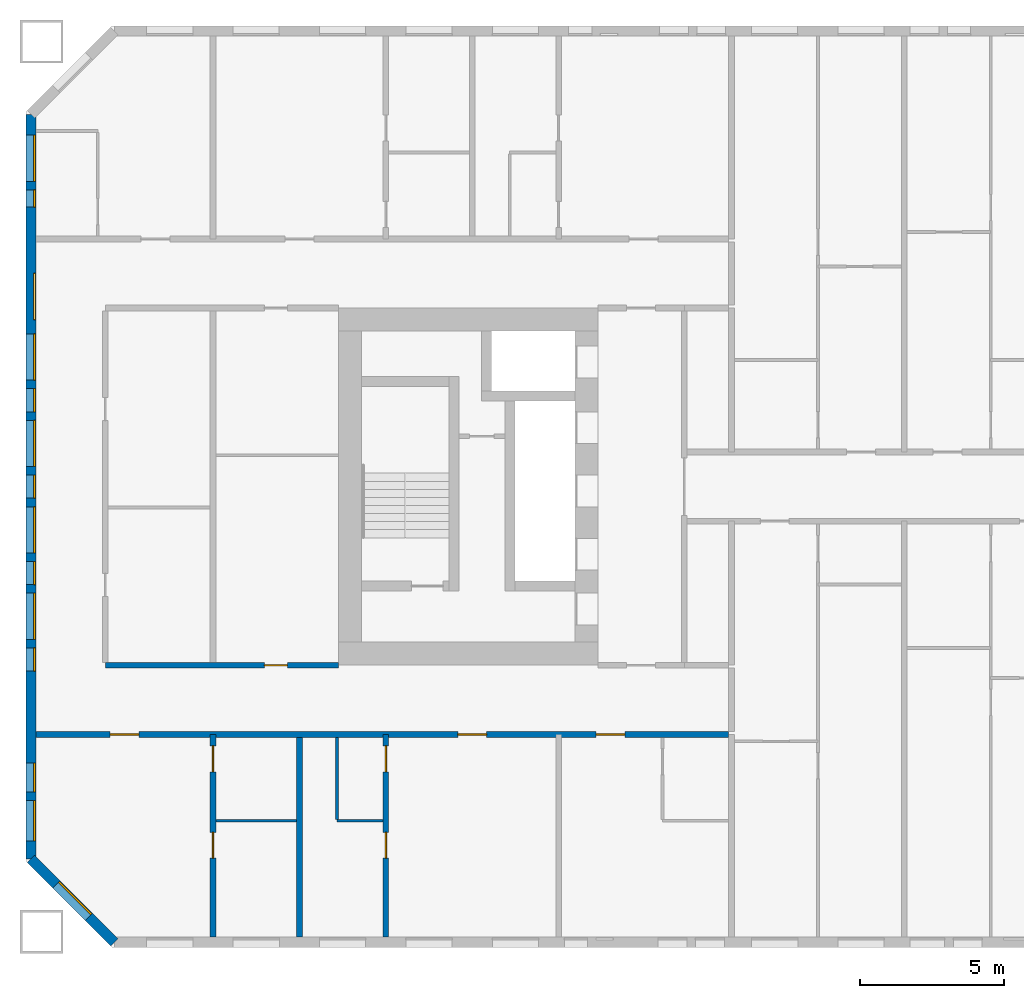
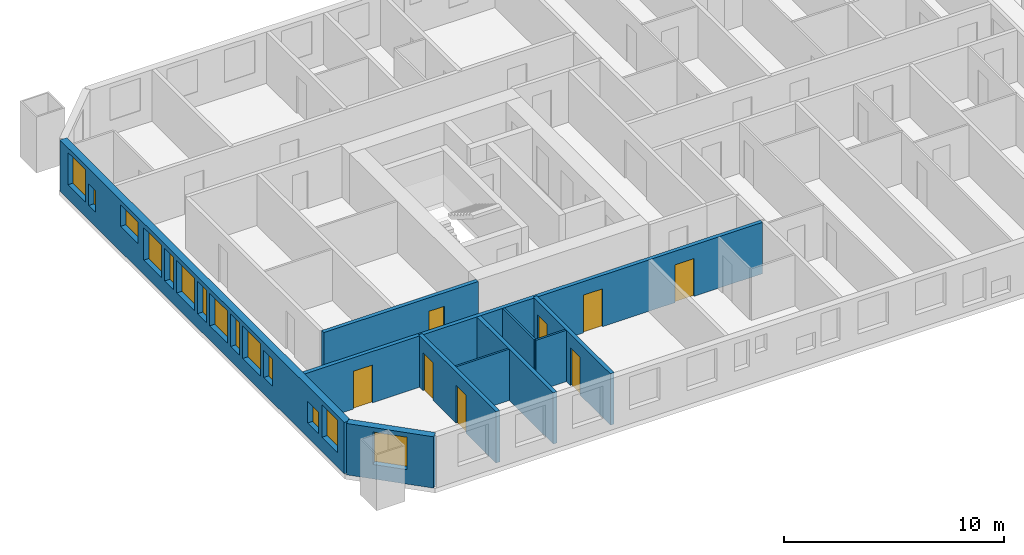
# One storey, part 2 of 19: 14 windows, 10 walls, 8 doors, 22 openings.
"""IFC4 building model written with IfcOpenShell, lengths in metres."""

from ifc_helpers import new_model, si_unit, direction, frame, frame_2d, origin, place, context, subcontext, project, spatial, rectangle, extrude, material, layer, layer_set, type_object, element, fill, save


model = new_model("IFC4")

# Units and contexts
model_context = context("Model", 3, precision=1e-05, world=origin(), true_north=direction((0.0, 1.0)))
body_context = subcontext(model_context, "Body", "Model", "MODEL_VIEW")
ifc_project = project(units=[si_unit("LENGTHUNIT", "METRE"), si_unit("AREAUNIT", "SQUARE_METRE"), si_unit("VOLUMEUNIT", "CUBIC_METRE"), si_unit("PLANEANGLEUNIT", "RADIAN"), si_unit("MASSUNIT", "GRAM", prefix="KILO")], contexts=[model_context])

# Site, building, storey
site_placement = place(None, origin())
site = spatial("IfcSite", under=ifc_project, at=site_placement, CompositionType="ELEMENT")
building_placement = place(site_placement, origin())
building = spatial("IfcBuilding", under=site, at=building_placement, Name="Tuart Gate Housing", CompositionType="ELEMENT")
storey_placement = place(building_placement, frame((0.0, 0.0, 56.699951171875)))
storey = spatial("IfcBuildingStorey", under=building, at=storey_placement, Name="L15", CompositionType="ELEMENT", Elevation=56.699951171875)

# Wall, opening, window
ifc_material_1 = material(Name="Brick", Category="masonry")
ifc_layer_1 = layer(ifc_material_1, 0.360107421875)
ifc_layer_set_1 = layer_set([ifc_layer_1], Name="Brick pier and spandrel wall 360")
wall_type_1 = type_object("IfcWallType", Name="Brick pier and spandrel wall 360", PredefinedType="STANDARD", material=ifc_layer_set_1)
wall_1_placement = place(storey_placement, frame((21.679931640625, 57.07470703125, 0.0), z_axis=(0.0, 0.0, 1.0), x_axis=(0.707106781187, -0.707106781187, 0.0)))
wall_1 = element("IfcWall", 1, at=wall_1_placement, inside=storey, type_object=wall_type_1, Name="External wall A-SW L15", PredefinedType="STANDARD", context=body_context, shape_type="SweptSolid", body=[
    extrude(rectangle(XDim=4.09375, YDim=0.360107421875, at=frame_2d((2.046875, 0.0))), origin(), (0.0, 0.0, 1.0), 2.85009765625),
])
opening_1_placement = place(wall_1_placement, frame((1.2470703125, 0.0, 0.800048828125)))
opening_1 = element("IfcOpeningElement", 2, at=opening_1_placement, cuts=wall_1, Name="Opening W1", PredefinedType="OPENING", context=body_context, shape_type="SweptSolid", body=[
    extrude(rectangle(XDim=1.60009765625, YDim=1.800048828125, at=frame_2d((0.800048828125, 0.89990234375))), frame((0.0, 0.18994140625, 0.0), z_axis=(0.0, -1.0, 0.0), x_axis=(1.0, 0.0, 0.0)), (0.0, 0.0, 1.0), 0.380126953125),
])
ifc_material_2 = material(Name="Aluminium frame with clear glass", Category="aluminium")
window_type_1 = type_object("IfcWindowType", Name="Punched window 1600 x 1800", PartitioningType="SINGLE_PANEL", PredefinedType="WINDOW", material=ifc_material_2)
window_1_placement = place(opening_1_placement, origin())
window_1 = element("IfcWindow", 3, at=window_1_placement, inside=storey, type_object=window_type_1, Name="Window W1", OverallHeight=1.800048828125, OverallWidth=1.60009765625, PartitioningType="SINGLE_PANEL", PredefinedType="WINDOW", context=body_context, shape_type="SweptSolid", body=[
    extrude(rectangle(XDim=1.60009765625, YDim=1.800048828125, at=frame_2d((0.800048828125, 0.89990234375))), frame((0.0, 0.150146484375, 0.0), z_axis=(0.0, -1.0, 0.0), x_axis=(1.0, 0.0, 0.0)), (0.0, 0.0, 1.0), 0.06005859375),
])
fill(opening_1, window_1)

# Wall, openings, windows
wall_2_placement = place(storey_placement, frame((21.679931640625, 82.92529296875, 0.0), z_axis=(0.0, 0.0, 1.0), x_axis=(0.0, -1.0, 0.0)))
wall_2 = element("IfcWall", 4, at=wall_2_placement, inside=storey, type_object=wall_type_1, Name="External wall A-W L15", PredefinedType="STANDARD", context=body_context, shape_type="SweptSolid", body=[
    extrude(rectangle(XDim=25.850830078125, YDim=0.360107421875, at=frame_2d((12.92529296875, 0.0))), origin(), (0.0, 0.0, 1.0), 2.85009765625),
])
opening_2_placement = place(wall_2_placement, frame((0.725341796875, 0.0, 0.800048828125)))
opening_2 = element("IfcOpeningElement", 5, at=opening_2_placement, cuts=wall_2, Name="Opening W1", PredefinedType="OPENING", context=body_context, shape_type="SweptSolid", body=[
    extrude(rectangle(XDim=1.60009765625, YDim=1.800048828125, at=frame_2d((0.800048828125, 0.89990234375))), frame((0.0, 0.18994140625, 0.0), z_axis=(0.0, -1.0, 0.0), x_axis=(1.0, 0.0, 0.0)), (0.0, 0.0, 1.0), 0.380126953125),
])
opening_3_placement = place(wall_2_placement, frame((5.525390625, 0.0, 1.39990234375)))
opening_3 = element("IfcOpeningElement", 6, at=opening_3_placement, cuts=wall_2, Name="Opening W1L", PredefinedType="OPENING", context=body_context, shape_type="SweptSolid", body=[
    extrude(rectangle(XDim=1.60009765625, YDim=1.199951171875, at=frame_2d((0.800048828125, 0.60009765625))), frame((0.0, 0.18994140625, 0.0), z_axis=(0.0, -1.0, 0.0), x_axis=(1.0, 0.0, 0.0)), (0.0, 0.0, 1.0), 0.380126953125),
])
opening_4_placement = place(wall_2_placement, frame((7.62548828125, 0.0, 0.800048828125)))
opening_4 = element("IfcOpeningElement", 7, at=opening_4_placement, cuts=wall_2, Name="Opening W1", PredefinedType="OPENING", context=body_context, shape_type="SweptSolid", body=[
    extrude(rectangle(XDim=1.60009765625, YDim=1.800048828125, at=frame_2d((0.800048828125, 0.89990234375))), frame((0.0, 0.18994140625, 0.0), z_axis=(0.0, -1.0, 0.0), x_axis=(1.0, 0.0, 0.0)), (0.0, 0.0, 1.0), 0.380126953125),
])
opening_5_placement = place(wall_2_placement, frame((10.62548828125, 0.0, 0.800048828125)))
opening_5 = element("IfcOpeningElement", 8, at=opening_5_placement, cuts=wall_2, Name="Opening W1", PredefinedType="OPENING", context=body_context, shape_type="SweptSolid", body=[
    extrude(rectangle(XDim=1.60009765625, YDim=1.800048828125, at=frame_2d((0.800048828125, 0.89990234375))), frame((0.0, 0.18994140625, 0.0), z_axis=(0.0, -1.0, 0.0), x_axis=(1.0, 0.0, 0.0)), (0.0, 0.0, 1.0), 0.380126953125),
])
opening_6_placement = place(wall_2_placement, frame((13.62548828125, 0.0, 0.800048828125)))
opening_6 = element("IfcOpeningElement", 9, at=opening_6_placement, cuts=wall_2, Name="Opening W1", PredefinedType="OPENING", context=body_context, shape_type="SweptSolid", body=[
    extrude(rectangle(XDim=1.60009765625, YDim=1.800048828125, at=frame_2d((0.800048828125, 0.89990234375))), frame((0.0, 0.18994140625, 0.0), z_axis=(0.0, -1.0, 0.0), x_axis=(1.0, 0.0, 0.0)), (0.0, 0.0, 1.0), 0.380126953125),
])
opening_7_placement = place(wall_2_placement, frame((16.62548828125, 0.0, 0.800048828125)))
opening_7 = element("IfcOpeningElement", 10, at=opening_7_placement, cuts=wall_2, Name="Opening W1", PredefinedType="OPENING", context=body_context, shape_type="SweptSolid", body=[
    extrude(rectangle(XDim=1.60009765625, YDim=1.800048828125, at=frame_2d((0.800048828125, 0.89990234375))), frame((0.0, 0.18994140625, 0.0), z_axis=(0.0, -1.0, 0.0), x_axis=(1.0, 0.0, 0.0)), (0.0, 0.0, 1.0), 0.380126953125),
])
opening_8_placement = place(wall_2_placement, frame((9.525390625, 0.0, 0.800048828125)))
opening_8 = element("IfcOpeningElement", 11, at=opening_8_placement, cuts=wall_2, Name="Opening W1D", PredefinedType="OPENING", context=body_context, shape_type="SweptSolid", body=[
    extrude(rectangle(XDim=0.800048828125, YDim=1.800048828125, at=frame_2d((0.39990234375, 0.89990234375))), frame((0.0, 0.18994140625, 0.0), z_axis=(0.0, -1.0, 0.0), x_axis=(1.0, 0.0, 0.0)), (0.0, 0.0, 1.0), 0.380126953125),
])
opening_9_placement = place(wall_2_placement, frame((22.525390625, 0.0, 0.800048828125)))
opening_9 = element("IfcOpeningElement", 12, at=opening_9_placement, cuts=wall_2, Name="Opening W1O", PredefinedType="OPENING", context=body_context, shape_type="SweptSolid", body=[
    extrude(rectangle(XDim=1.0, YDim=1.199951171875, at=frame_2d((0.5, 0.60009765625))), frame((0.0, 0.18994140625, 0.0), z_axis=(0.0, -1.0, 0.0), x_axis=(1.0, 0.0, 0.0)), (0.0, 0.0, 1.0), 0.380126953125),
])
opening_10_placement = place(wall_2_placement, frame((2.62548828125, 0.0, 0.800048828125)))
opening_10 = element("IfcOpeningElement", 13, at=opening_10_placement, cuts=wall_2, Name="Opening W1Q", PredefinedType="OPENING", context=body_context, shape_type="SweptSolid", body=[
    extrude(rectangle(XDim=0.60009765625, YDim=1.199951171875, at=frame_2d((0.300048828125, 0.60009765625))), frame((0.0, 0.18994140625, 0.0), z_axis=(0.0, -1.0, 0.0), x_axis=(1.0, 0.0, 0.0)), (0.0, 0.0, 1.0), 0.380126953125),
])
opening_11_placement = place(wall_2_placement, frame((12.525390625, 0.0, 0.800048828125)))
opening_11 = element("IfcOpeningElement", 14, at=opening_11_placement, cuts=wall_2, Name="Opening W1D", PredefinedType="OPENING", context=body_context, shape_type="SweptSolid", body=[
    extrude(rectangle(XDim=0.800048828125, YDim=1.800048828125, at=frame_2d((0.39990234375, 0.89990234375))), frame((0.0, 0.18994140625, 0.0), z_axis=(0.0, -1.0, 0.0), x_axis=(1.0, 0.0, 0.0)), (0.0, 0.0, 1.0), 0.380126953125),
])
opening_12_placement = place(wall_2_placement, frame((15.525390625, 0.0, 0.800048828125)))
opening_12 = element("IfcOpeningElement", 15, at=opening_12_placement, cuts=wall_2, Name="Opening W1D", PredefinedType="OPENING", context=body_context, shape_type="SweptSolid", body=[
    extrude(rectangle(XDim=0.800048828125, YDim=1.800048828125, at=frame_2d((0.39990234375, 0.89990234375))), frame((0.0, 0.18994140625, 0.0), z_axis=(0.0, -1.0, 0.0), x_axis=(1.0, 0.0, 0.0)), (0.0, 0.0, 1.0), 0.380126953125),
])
opening_13_placement = place(wall_2_placement, frame((18.525390625, 0.0, 0.89990234375)))
opening_13 = element("IfcOpeningElement", 16, at=opening_13_placement, cuts=wall_2, Name="Opening W1J", PredefinedType="OPENING", context=body_context, shape_type="SweptSolid", body=[
    extrude(rectangle(XDim=0.800048828125, YDim=1.5, at=frame_2d((0.39990234375, 0.75))), frame((0.0, 0.18994140625, 0.0), z_axis=(0.0, -1.0, 0.0), x_axis=(1.0, 0.0, 0.0)), (0.0, 0.0, 1.0), 0.380126953125),
])
opening_14_placement = place(wall_2_placement, frame((23.825439453125, 0.0, 0.800048828125)))
opening_14 = element("IfcOpeningElement", 17, at=opening_14_placement, cuts=wall_2, Name="Opening W1A", PredefinedType="OPENING", context=body_context, shape_type="SweptSolid", body=[
    extrude(rectangle(XDim=1.39990234375, YDim=1.800048828125, at=frame_2d((0.699951171875, 0.89990234375))), frame((0.0, 0.18994140625, 0.0), z_axis=(0.0, -1.0, 0.0), x_axis=(1.0, 0.0, 0.0)), (0.0, 0.0, 1.0), 0.380126953125),
])
ifc_material_3 = material(Name="Aluminium frame with clear glass", Category="aluminium")
window_type_2 = type_object("IfcWindowType", Name="Punched window 1000 x 1200", PartitioningType="SINGLE_PANEL", PredefinedType="WINDOW", material=ifc_material_3)
window_2_placement = place(opening_9_placement, origin())
window_2 = element("IfcWindow", 18, at=window_2_placement, inside=storey, type_object=window_type_2, Name="Window W1O", OverallHeight=1.199951171875, OverallWidth=1.0, PartitioningType="SINGLE_PANEL", PredefinedType="WINDOW", context=body_context, shape_type="SweptSolid", body=[
    extrude(rectangle(XDim=1.0, YDim=1.199951171875, at=frame_2d((0.5, 0.60009765625))), frame((0.0, 0.150146484375, 0.0), z_axis=(0.0, -1.0, 0.0), x_axis=(1.0, 0.0, 0.0)), (0.0, 0.0, 1.0), 0.06005859375),
])
fill(opening_9, window_2)
ifc_material_4 = material(Name="Aluminium frame with clear glass", Category="aluminium")
window_type_3 = type_object("IfcWindowType", Name="Punched window 1400 x 1800", PartitioningType="SINGLE_PANEL", PredefinedType="WINDOW", material=ifc_material_4)
window_3_placement = place(opening_14_placement, origin())
window_3 = element("IfcWindow", 19, at=window_3_placement, inside=storey, type_object=window_type_3, Name="Window W1A", OverallHeight=1.800048828125, OverallWidth=1.39990234375, PartitioningType="SINGLE_PANEL", PredefinedType="WINDOW", context=body_context, shape_type="SweptSolid", body=[
    extrude(rectangle(XDim=1.39990234375, YDim=1.800048828125, at=frame_2d((0.699951171875, 0.89990234375))), frame((0.0, 0.150146484375, 0.0), z_axis=(0.0, -1.0, 0.0), x_axis=(1.0, 0.0, 0.0)), (0.0, 0.0, 1.0), 0.06005859375),
])
fill(opening_14, window_3)
ifc_material_5 = material(Name="Aluminium frame with clear glass", Category="aluminium")
window_type_4 = type_object("IfcWindowType", Name="Punched window 1600 x 1200", PartitioningType="SINGLE_PANEL", PredefinedType="WINDOW", material=ifc_material_5)
window_4_placement = place(opening_3_placement, origin())
window_4 = element("IfcWindow", 20, at=window_4_placement, inside=storey, type_object=window_type_4, Name="Window W1L", OverallHeight=1.199951171875, OverallWidth=1.60009765625, PartitioningType="SINGLE_PANEL", PredefinedType="WINDOW", context=body_context, shape_type="SweptSolid", body=[
    extrude(rectangle(XDim=1.60009765625, YDim=1.199951171875, at=frame_2d((0.800048828125, 0.60009765625))), frame((0.0, 0.150146484375, 0.0), z_axis=(0.0, -1.0, 0.0), x_axis=(1.0, 0.0, 0.0)), (0.0, 0.0, 1.0), 0.06005859375),
])
fill(opening_3, window_4)
window_5_placement = place(opening_2_placement, origin())
window_5 = element("IfcWindow", 21, at=window_5_placement, inside=storey, type_object=window_type_1, Name="Window W1", OverallHeight=1.800048828125, OverallWidth=1.60009765625, PartitioningType="SINGLE_PANEL", PredefinedType="WINDOW", context=body_context, shape_type="SweptSolid", body=[
    extrude(rectangle(XDim=1.60009765625, YDim=1.800048828125, at=frame_2d((0.800048828125, 0.89990234375))), frame((0.0, 0.150146484375, 0.0), z_axis=(0.0, -1.0, 0.0), x_axis=(1.0, 0.0, 0.0)), (0.0, 0.0, 1.0), 0.06005859375),
])
fill(opening_2, window_5)
window_6_placement = place(opening_4_placement, origin())
window_6 = element("IfcWindow", 22, at=window_6_placement, inside=storey, type_object=window_type_1, Name="Window W1", OverallHeight=1.800048828125, OverallWidth=1.60009765625, PartitioningType="SINGLE_PANEL", PredefinedType="WINDOW", context=body_context, shape_type="SweptSolid", body=[
    extrude(rectangle(XDim=1.60009765625, YDim=1.800048828125, at=frame_2d((0.800048828125, 0.89990234375))), frame((0.0, 0.150146484375, 0.0), z_axis=(0.0, -1.0, 0.0), x_axis=(1.0, 0.0, 0.0)), (0.0, 0.0, 1.0), 0.06005859375),
])
fill(opening_4, window_6)
window_7_placement = place(opening_5_placement, origin())
window_7 = element("IfcWindow", 23, at=window_7_placement, inside=storey, type_object=window_type_1, Name="Window W1", OverallHeight=1.800048828125, OverallWidth=1.60009765625, PartitioningType="SINGLE_PANEL", PredefinedType="WINDOW", context=body_context, shape_type="SweptSolid", body=[
    extrude(rectangle(XDim=1.60009765625, YDim=1.800048828125, at=frame_2d((0.800048828125, 0.89990234375))), frame((0.0, 0.150146484375, 0.0), z_axis=(0.0, -1.0, 0.0), x_axis=(1.0, 0.0, 0.0)), (0.0, 0.0, 1.0), 0.06005859375),
])
fill(opening_5, window_7)
window_8_placement = place(opening_6_placement, origin())
window_8 = element("IfcWindow", 24, at=window_8_placement, inside=storey, type_object=window_type_1, Name="Window W1", OverallHeight=1.800048828125, OverallWidth=1.60009765625, PartitioningType="SINGLE_PANEL", PredefinedType="WINDOW", context=body_context, shape_type="SweptSolid", body=[
    extrude(rectangle(XDim=1.60009765625, YDim=1.800048828125, at=frame_2d((0.800048828125, 0.89990234375))), frame((0.0, 0.150146484375, 0.0), z_axis=(0.0, -1.0, 0.0), x_axis=(1.0, 0.0, 0.0)), (0.0, 0.0, 1.0), 0.06005859375),
])
fill(opening_6, window_8)
window_9_placement = place(opening_7_placement, origin())
window_9 = element("IfcWindow", 25, at=window_9_placement, inside=storey, type_object=window_type_1, Name="Window W1", OverallHeight=1.800048828125, OverallWidth=1.60009765625, PartitioningType="SINGLE_PANEL", PredefinedType="WINDOW", context=body_context, shape_type="SweptSolid", body=[
    extrude(rectangle(XDim=1.60009765625, YDim=1.800048828125, at=frame_2d((0.800048828125, 0.89990234375))), frame((0.0, 0.150146484375, 0.0), z_axis=(0.0, -1.0, 0.0), x_axis=(1.0, 0.0, 0.0)), (0.0, 0.0, 1.0), 0.06005859375),
])
fill(opening_7, window_9)
ifc_material_6 = material(Name="Aluminium frame with clear glass", Category="aluminium")
window_type_5 = type_object("IfcWindowType", Name="Punched window 600 x 1200", PartitioningType="SINGLE_PANEL", PredefinedType="WINDOW", material=ifc_material_6)
window_10_placement = place(opening_10_placement, origin())
window_10 = element("IfcWindow", 26, at=window_10_placement, inside=storey, type_object=window_type_5, Name="Window W1Q", OverallHeight=1.199951171875, OverallWidth=0.60009765625, PartitioningType="SINGLE_PANEL", PredefinedType="WINDOW", context=body_context, shape_type="SweptSolid", body=[
    extrude(rectangle(XDim=0.60009765625, YDim=1.199951171875, at=frame_2d((0.300048828125, 0.60009765625))), frame((0.0, 0.150146484375, 0.0), z_axis=(0.0, -1.0, 0.0), x_axis=(1.0, 0.0, 0.0)), (0.0, 0.0, 1.0), 0.06005859375),
])
fill(opening_10, window_10)
ifc_material_7 = material(Name="Aluminium frame with clear glass", Category="aluminium")
window_type_6 = type_object("IfcWindowType", Name="Punched window 800 x 1500", PartitioningType="SINGLE_PANEL", PredefinedType="WINDOW", material=ifc_material_7)
window_11_placement = place(opening_13_placement, origin())
window_11 = element("IfcWindow", 27, at=window_11_placement, inside=storey, type_object=window_type_6, Name="Window W1J", OverallHeight=1.5, OverallWidth=0.800048828125, PartitioningType="SINGLE_PANEL", PredefinedType="WINDOW", context=body_context, shape_type="SweptSolid", body=[
    extrude(rectangle(XDim=0.800048828125, YDim=1.5, at=frame_2d((0.39990234375, 0.75))), frame((0.0, 0.150146484375, 0.0), z_axis=(0.0, -1.0, 0.0), x_axis=(1.0, 0.0, 0.0)), (0.0, 0.0, 1.0), 0.06005859375),
])
fill(opening_13, window_11)
ifc_material_8 = material(Name="Aluminium frame with clear glass", Category="aluminium")
window_type_7 = type_object("IfcWindowType", Name="Punched window 800 x 1800", PartitioningType="SINGLE_PANEL", PredefinedType="WINDOW", material=ifc_material_8)
window_12_placement = place(opening_8_placement, origin())
window_12 = element("IfcWindow", 28, at=window_12_placement, inside=storey, type_object=window_type_7, Name="Window W1D", OverallHeight=1.800048828125, OverallWidth=0.800048828125, PartitioningType="SINGLE_PANEL", PredefinedType="WINDOW", context=body_context, shape_type="SweptSolid", body=[
    extrude(rectangle(XDim=0.800048828125, YDim=1.800048828125, at=frame_2d((0.39990234375, 0.89990234375))), frame((0.0, 0.150146484375, 0.0), z_axis=(0.0, -1.0, 0.0), x_axis=(1.0, 0.0, 0.0)), (0.0, 0.0, 1.0), 0.06005859375),
])
fill(opening_8, window_12)
window_13_placement = place(opening_11_placement, origin())
window_13 = element("IfcWindow", 29, at=window_13_placement, inside=storey, type_object=window_type_7, Name="Window W1D", OverallHeight=1.800048828125, OverallWidth=0.800048828125, PartitioningType="SINGLE_PANEL", PredefinedType="WINDOW", context=body_context, shape_type="SweptSolid", body=[
    extrude(rectangle(XDim=0.800048828125, YDim=1.800048828125, at=frame_2d((0.39990234375, 0.89990234375))), frame((0.0, 0.150146484375, 0.0), z_axis=(0.0, -1.0, 0.0), x_axis=(1.0, 0.0, 0.0)), (0.0, 0.0, 1.0), 0.06005859375),
])
fill(opening_11, window_13)
window_14_placement = place(opening_12_placement, origin())
window_14 = element("IfcWindow", 30, at=window_14_placement, inside=storey, type_object=window_type_7, Name="Window W1D", OverallHeight=1.800048828125, OverallWidth=0.800048828125, PartitioningType="SINGLE_PANEL", PredefinedType="WINDOW", context=body_context, shape_type="SweptSolid", body=[
    extrude(rectangle(XDim=0.800048828125, YDim=1.800048828125, at=frame_2d((0.39990234375, 0.89990234375))), frame((0.0, 0.150146484375, 0.0), z_axis=(0.0, -1.0, 0.0), x_axis=(1.0, 0.0, 0.0)), (0.0, 0.0, 1.0), 0.06005859375),
])
fill(opening_12, window_14)

# Wall, openings, doors
ifc_material_9 = material(Name="Concrete masonry 15 MPa", Category="masonry")
ifc_layer_2 = layer(ifc_material_9, 0.199951171875)
ifc_layer_set_2 = layer_set([ifc_layer_2], Name="Corridor wall masonry 200")
wall_type_2 = type_object("IfcWallType", Name="Corridor wall masonry 200", PredefinedType="PARTITIONING", material=ifc_layer_set_2)
wall_3_placement = place(storey_placement, frame((21.860107421875, 61.39990234375, 0.0), z_axis=(0.0, 0.0, 1.0), x_axis=(1.0, 0.0, 0.0)))
wall_3 = element("IfcWall", 31, at=wall_3_placement, inside=storey, type_object=wall_type_2, Name="Corridor wall masonry 200", PredefinedType="PARTITIONING", context=body_context, shape_type="SweptSolid", body=[
    extrude(rectangle(XDim=24.039794921875, YDim=0.199951171875, at=frame_2d((12.02001953125, 0.0))), origin(), (0.0, 0.0, 1.0), 2.85009765625),
])
opening_15_placement = place(wall_3_placement, frame((19.43994140625, 0.0, 0.0)))
opening_15 = element("IfcOpeningElement", 32, at=opening_15_placement, cuts=wall_3, Name="Opening D764", PredefinedType="OPENING", context=body_context, shape_type="SweptSolid", body=[
    extrude(rectangle(XDim=1.0, YDim=2.10009765625, at=frame_2d((0.5, 1.050048828125))), frame((0.0, 0.10986328125, 0.0), z_axis=(0.0, -1.0, 0.0), x_axis=(1.0, 0.0, 0.0)), (0.0, 0.0, 1.0), 0.219970703125),
])
opening_16_placement = place(wall_3_placement, frame((14.639892578125, 0.0, 0.0)))
opening_16 = element("IfcOpeningElement", 33, at=opening_16_placement, cuts=wall_3, Name="Opening D765", PredefinedType="OPENING", context=body_context, shape_type="SweptSolid", body=[
    extrude(rectangle(XDim=1.0, YDim=2.10009765625, at=frame_2d((0.5, 1.050048828125))), frame((0.0, 0.10986328125, 0.0), z_axis=(0.0, -1.0, 0.0), x_axis=(1.0, 0.0, 0.0)), (0.0, 0.0, 1.0), 0.219970703125),
])
opening_17_placement = place(wall_3_placement, frame((2.570068359375, 0.0, 0.0)))
opening_17 = element("IfcOpeningElement", 34, at=opening_17_placement, cuts=wall_3, Name="Opening D766", PredefinedType="OPENING", context=body_context, shape_type="SweptSolid", body=[
    extrude(rectangle(XDim=1.0, YDim=2.10009765625, at=frame_2d((0.5, 1.050048828125))), frame((0.0, 0.10986328125, 0.0), z_axis=(0.0, -1.0, 0.0), x_axis=(1.0, 0.0, 0.0)), (0.0, 0.0, 1.0), 0.219970703125),
])
ifc_material_10 = material(Name="Timber door leaf in steel frame", Category="steel")
door_type_1 = type_object("IfcDoorType", Name="Flat entrance door 1000 RH", OperationType="SINGLE_SWING_RIGHT", PredefinedType="DOOR", material=ifc_material_10)
door_1_placement = place(opening_15_placement, frame((1.0, 0.0, 0.0), z_axis=(0.0, 0.0, 1.0), x_axis=(-1.0, 0.0, 0.0)))
door_1 = element("IfcDoor", 35, at=door_1_placement, inside=storey, type_object=door_type_1, Name="Flat entrance door", OperationType="SINGLE_SWING_RIGHT", OverallHeight=2.10009765625, OverallWidth=1.0, PredefinedType="DOOR", context=body_context, shape_type="SweptSolid", body=[
    extrude(rectangle(XDim=1.0, YDim=2.10009765625, at=frame_2d((0.5, 1.050048828125))), frame((0.0, 0.025146484375, 0.0), z_axis=(0.0, -1.0, 0.0), x_axis=(1.0, 0.0, 0.0)), (0.0, 0.0, 1.0), 0.050048828125),
])
fill(opening_15, door_1)
door_2_placement = place(opening_16_placement, frame((1.0, 0.0, 0.0), z_axis=(0.0, 0.0, 1.0), x_axis=(-1.0, 0.0, 0.0)))
door_2 = element("IfcDoor", 36, at=door_2_placement, inside=storey, type_object=door_type_1, Name="Flat entrance door", OperationType="SINGLE_SWING_RIGHT", OverallHeight=2.10009765625, OverallWidth=1.0, PredefinedType="DOOR", context=body_context, shape_type="SweptSolid", body=[
    extrude(rectangle(XDim=1.0, YDim=2.10009765625, at=frame_2d((0.5, 1.050048828125))), frame((0.0, 0.025146484375, 0.0), z_axis=(0.0, -1.0, 0.0), x_axis=(1.0, 0.0, 0.0)), (0.0, 0.0, 1.0), 0.050048828125),
])
fill(opening_16, door_2)
door_3_placement = place(opening_17_placement, frame((1.0, 0.0, 0.0), z_axis=(0.0, 0.0, 1.0), x_axis=(-1.0, 0.0, 0.0)))
door_3 = element("IfcDoor", 37, at=door_3_placement, inside=storey, type_object=door_type_1, Name="Flat entrance door", OperationType="SINGLE_SWING_RIGHT", OverallHeight=2.10009765625, OverallWidth=1.0, PredefinedType="DOOR", context=body_context, shape_type="SweptSolid", body=[
    extrude(rectangle(XDim=1.0, YDim=2.10009765625, at=frame_2d((0.5, 1.050048828125))), frame((0.0, 0.025146484375, 0.0), z_axis=(0.0, -1.0, 0.0), x_axis=(1.0, 0.0, 0.0)), (0.0, 0.0, 1.0), 0.050048828125),
])
fill(opening_17, door_3)

# Wall, opening, door
wall_4_placement = place(storey_placement, frame((24.260009765625, 63.800048828125, 0.0), z_axis=(0.0, 0.0, 1.0), x_axis=(1.0, 0.0, 0.0)))
wall_4 = element("IfcWall", 38, at=wall_4_placement, inside=storey, type_object=wall_type_2, Name="Corridor wall masonry 200", PredefinedType="PARTITIONING", context=body_context, shape_type="SweptSolid", body=[
    extrude(rectangle(XDim=8.10009765625, YDim=0.199951171875, at=frame_2d((4.050048828125, 0.0))), origin(), (0.0, 0.0, 1.0), 2.85009765625),
])
opening_18_placement = place(wall_4_placement, frame((5.52001953125, 0.0, 0.0)))
opening_18 = element("IfcOpeningElement", 39, at=opening_18_placement, cuts=wall_4, Name="Opening D754", PredefinedType="OPENING", context=body_context, shape_type="SweptSolid", body=[
    extrude(rectangle(XDim=0.800048828125, YDim=2.10009765625, at=frame_2d((0.39990234375, 1.050048828125))), frame((0.0, 0.10986328125, 0.0), z_axis=(0.0, -1.0, 0.0), x_axis=(1.0, 0.0, 0.0)), (0.0, 0.0, 1.0), 0.219970703125),
])
ifc_material_11 = material(Name="Timber door leaf in steel frame", Category="steel")
door_type_2 = type_object("IfcDoorType", Name="Store door 800", OperationType="SINGLE_SWING_LEFT", PredefinedType="DOOR", material=ifc_material_11)
door_4_placement = place(opening_18_placement, origin())
door_4 = element("IfcDoor", 40, at=door_4_placement, inside=storey, type_object=door_type_2, Name="Store door", OperationType="SINGLE_SWING_LEFT", OverallHeight=2.10009765625, OverallWidth=0.800048828125, PredefinedType="DOOR", context=body_context, shape_type="SweptSolid", body=[
    extrude(rectangle(XDim=0.800048828125, YDim=2.10009765625, at=frame_2d((0.39990234375, 1.050048828125))), frame((0.0, 0.02490234375, 0.0), z_axis=(0.0, -1.0, 0.0), x_axis=(1.0, 0.0, 0.0)), (0.0, 0.0, 1.0), 0.050048828125),
])
fill(opening_18, door_4)

# Walls
ifc_material_12 = material(Name="Gypsum board on steel studs", Category="steel")
ifc_layer_3 = layer(ifc_material_12, 0.10009765625)
ifc_layer_set_3 = layer_set([ifc_layer_3], Name="Partition 100")
wall_type_3 = type_object("IfcWallType", Name="Partition 100", PredefinedType="PARTITIONING", material=ifc_layer_set_3)
wall_5_placement = place(storey_placement, frame((28.10009765625, 58.39990234375, 0.0), z_axis=(0.0, 0.0, 1.0), x_axis=(1.0, 0.0, 0.0)))
element("IfcWall", 41, at=wall_5_placement, inside=storey, type_object=wall_type_3, Name="Partition 100", PredefinedType="PARTITIONING", context=body_context, shape_type="SweptSolid", body=[
    extrude(rectangle(XDim=2.7998046875, YDim=0.10009765625, at=frame_2d((1.39990234375, 0.0))), origin(), (0.0, 0.0, 1.0), 2.85009765625),
])
wall_6_placement = place(storey_placement, frame((32.300048828125, 58.39990234375, 0.0), z_axis=(0.0, 0.0, 1.0), x_axis=(1.0, 0.0, 0.0)))
element("IfcWall", 42, at=wall_6_placement, inside=storey, type_object=wall_type_3, Name="Partition 100", PredefinedType="PARTITIONING", context=body_context, shape_type="SweptSolid", body=[
    extrude(rectangle(XDim=1.599853515625, YDim=0.10009765625, at=frame_2d((0.7998046875, 0.0))), origin(), (0.0, 0.0, 1.0), 2.85009765625),
])
wall_7_placement = place(storey_placement, frame((32.300048828125, 58.449951171875, 0.0), z_axis=(0.0, 0.0, 1.0), x_axis=(0.0, 1.0, 0.0)))
element("IfcWall", 43, at=wall_7_placement, inside=storey, type_object=wall_type_3, Name="Partition 100", PredefinedType="PARTITIONING", context=body_context, shape_type="SweptSolid", body=[
    extrude(rectangle(XDim=2.85009765625, YDim=0.10009765625, at=frame_2d((1.425048828125, 0.0))), origin(), (0.0, 0.0, 1.0), 2.85009765625),
])

# Wall, openings, doors
ifc_material_13 = material(Name="Concrete C40", Category="concrete")
ifc_layer_4 = layer(ifc_material_13, 0.199951171875)
ifc_layer_set_4 = layer_set([ifc_layer_4], Name="Party wall concrete C40 200")
wall_type_4 = type_object("IfcWallType", Name="Party wall concrete C40 200", PredefinedType="SOLIDWALL", material=ifc_layer_set_4)
wall_8_placement = place(storey_placement, frame((28.0, 54.360107421875, 0.0), z_axis=(0.0, 0.0, 1.0), x_axis=(0.0, 1.0, 0.0)))
wall_8 = element("IfcWall", 44, at=wall_8_placement, inside=storey, type_object=wall_type_4, Name="Party wall concrete C40 200", PredefinedType="SOLIDWALL", context=body_context, shape_type="SweptSolid", body=[
    extrude(rectangle(XDim=7.039794921875, YDim=0.199951171875, at=frame_2d((3.52001953125, 0.0))), origin(), (0.0, 0.0, 1.0), 2.85009765625),
])
opening_19_placement = place(wall_8_placement, frame((2.739990234375, 0.0, 0.0)))
opening_19 = element("IfcOpeningElement", 45, at=opening_19_placement, cuts=wall_8, Name="Opening D775", PredefinedType="OPENING", context=body_context, shape_type="SweptSolid", body=[
    extrude(rectangle(XDim=0.89990234375, YDim=2.10009765625, at=frame_2d((0.449951171875, 1.050048828125))), frame((0.0, 0.10986328125, 0.0), z_axis=(0.0, -1.0, 0.0), x_axis=(1.0, 0.0, 0.0)), (0.0, 0.0, 1.0), 0.219970703125),
])
opening_20_placement = place(wall_8_placement, frame((5.739990234375, 0.0, 0.0)))
opening_20 = element("IfcOpeningElement", 46, at=opening_20_placement, cuts=wall_8, Name="Opening D774", PredefinedType="OPENING", context=body_context, shape_type="SweptSolid", body=[
    extrude(rectangle(XDim=0.89990234375, YDim=2.10009765625, at=frame_2d((0.449951171875, 1.050048828125))), frame((0.0, 0.10986328125, 0.0), z_axis=(0.0, -1.0, 0.0), x_axis=(1.0, 0.0, 0.0)), (0.0, 0.0, 1.0), 0.219970703125),
])
ifc_material_14 = material(Name="Timber door leaf in steel frame", Category="steel")
door_type_3 = type_object("IfcDoorType", Name="Bathroom door 900", OperationType="SINGLE_SWING_LEFT", PredefinedType="DOOR", material=ifc_material_14)
door_5_placement = place(opening_20_placement, frame((0.89990234375, 0.0, 0.0), z_axis=(0.0, 0.0, 1.0), x_axis=(-1.0, 0.0, 0.0)))
door_5 = element("IfcDoor", 47, at=door_5_placement, inside=storey, type_object=door_type_3, Name="Bathroom door", OperationType="SINGLE_SWING_LEFT", OverallHeight=2.10009765625, OverallWidth=0.89990234375, PredefinedType="DOOR", context=body_context, shape_type="SweptSolid", body=[
    extrude(rectangle(XDim=0.89990234375, YDim=2.10009765625, at=frame_2d((0.449951171875, 1.050048828125))), frame((0.0, 0.025146484375, 0.0), z_axis=(0.0, -1.0, 0.0), x_axis=(1.0, 0.0, 0.0)), (0.0, 0.0, 1.0), 0.050048828125),
])
fill(opening_20, door_5)
ifc_material_15 = material(Name="Timber door leaf in steel frame", Category="steel")
door_type_4 = type_object("IfcDoorType", Name="Internal door 900", OperationType="SINGLE_SWING_LEFT", PredefinedType="DOOR", material=ifc_material_15)
door_6_placement = place(opening_19_placement, frame((0.89990234375, 0.0, 0.0), z_axis=(0.0, 0.0, 1.0), x_axis=(-1.0, 0.0, 0.0)))
door_6 = element("IfcDoor", 48, at=door_6_placement, inside=storey, type_object=door_type_4, Name="Internal door", OperationType="SINGLE_SWING_LEFT", OverallHeight=2.10009765625, OverallWidth=0.89990234375, PredefinedType="DOOR", context=body_context, shape_type="SweptSolid", body=[
    extrude(rectangle(XDim=0.89990234375, YDim=2.10009765625, at=frame_2d((0.449951171875, 1.050048828125))), frame((0.0, 0.025146484375, 0.0), z_axis=(0.0, -1.0, 0.0), x_axis=(1.0, 0.0, 0.0)), (0.0, 0.0, 1.0), 0.050048828125),
])
fill(opening_19, door_6)

wall_9_placement = place(storey_placement, frame((34.0, 54.360107421875, 0.0), z_axis=(0.0, 0.0, 1.0), x_axis=(0.0, 1.0, 0.0)))
wall_9 = element("IfcWall", 49, at=wall_9_placement, inside=storey, type_object=wall_type_4, Name="Party wall concrete C40 200", PredefinedType="SOLIDWALL", context=body_context, shape_type="SweptSolid", body=[
    extrude(rectangle(XDim=7.039794921875, YDim=0.199951171875, at=frame_2d((3.52001953125, 0.0))), origin(), (0.0, 0.0, 1.0), 2.85009765625),
])
opening_21_placement = place(wall_9_placement, frame((2.739990234375, 0.0, 0.0)))
opening_21 = element("IfcOpeningElement", 50, at=opening_21_placement, cuts=wall_9, Name="Opening D777", PredefinedType="OPENING", context=body_context, shape_type="SweptSolid", body=[
    extrude(rectangle(XDim=0.89990234375, YDim=2.10009765625, at=frame_2d((0.449951171875, 1.050048828125))), frame((0.0, 0.10986328125, 0.0), z_axis=(0.0, -1.0, 0.0), x_axis=(1.0, 0.0, 0.0)), (0.0, 0.0, 1.0), 0.219970703125),
])
opening_22_placement = place(wall_9_placement, frame((5.739990234375, 0.0, 0.0)))
opening_22 = element("IfcOpeningElement", 51, at=opening_22_placement, cuts=wall_9, Name="Opening D776", PredefinedType="OPENING", context=body_context, shape_type="SweptSolid", body=[
    extrude(rectangle(XDim=0.89990234375, YDim=2.10009765625, at=frame_2d((0.449951171875, 1.050048828125))), frame((0.0, 0.10986328125, 0.0), z_axis=(0.0, -1.0, 0.0), x_axis=(1.0, 0.0, 0.0)), (0.0, 0.0, 1.0), 0.219970703125),
])
ifc_material_16 = material(Name="Timber door leaf in steel frame", Category="steel")
door_type_5 = type_object("IfcDoorType", Name="Bathroom door 900 RH", OperationType="SINGLE_SWING_RIGHT", PredefinedType="DOOR", material=ifc_material_16)
door_7_placement = place(opening_22_placement, origin())
door_7 = element("IfcDoor", 52, at=door_7_placement, inside=storey, type_object=door_type_5, Name="Bathroom door", OperationType="SINGLE_SWING_RIGHT", OverallHeight=2.10009765625, OverallWidth=0.89990234375, PredefinedType="DOOR", context=body_context, shape_type="SweptSolid", body=[
    extrude(rectangle(XDim=0.89990234375, YDim=2.10009765625, at=frame_2d((0.449951171875, 1.050048828125))), frame((0.0, 0.02490234375, 0.0), z_axis=(0.0, -1.0, 0.0), x_axis=(1.0, 0.0, 0.0)), (0.0, 0.0, 1.0), 0.050048828125),
])
fill(opening_22, door_7)
ifc_material_17 = material(Name="Timber door leaf in steel frame", Category="steel")
door_type_6 = type_object("IfcDoorType", Name="Internal door 900 RH", OperationType="SINGLE_SWING_RIGHT", PredefinedType="DOOR", material=ifc_material_17)
door_8_placement = place(opening_21_placement, origin())
door_8 = element("IfcDoor", 53, at=door_8_placement, inside=storey, type_object=door_type_6, Name="Internal door", OperationType="SINGLE_SWING_RIGHT", OverallHeight=2.10009765625, OverallWidth=0.89990234375, PredefinedType="DOOR", context=body_context, shape_type="SweptSolid", body=[
    extrude(rectangle(XDim=0.89990234375, YDim=2.10009765625, at=frame_2d((0.449951171875, 1.050048828125))), frame((0.0, 0.02490234375, 0.0), z_axis=(0.0, -1.0, 0.0), x_axis=(1.0, 0.0, 0.0)), (0.0, 0.0, 1.0), 0.050048828125),
])
fill(opening_21, door_8)

# Wall
ifc_material_18 = material(Name="Concrete masonry 15 MPa", Category="masonry")
ifc_layer_5 = layer(ifc_material_18, 0.199951171875)
ifc_layer_set_5 = layer_set([ifc_layer_5], Name="Party wall masonry 200")
wall_type_5 = type_object("IfcWallType", Name="Party wall masonry 200", PredefinedType="PARTITIONING", material=ifc_layer_set_5)
wall_10_placement = place(storey_placement, frame((31.0, 54.360107421875, 0.0), z_axis=(0.0, 0.0, 1.0), x_axis=(0.0, 1.0, 0.0)))
element("IfcWall", 54, at=wall_10_placement, inside=storey, type_object=wall_type_5, Name="Party wall masonry 200", PredefinedType="PARTITIONING", context=body_context, shape_type="SweptSolid", body=[
    extrude(rectangle(XDim=6.93994140625, YDim=0.199951171875, at=frame_2d((3.469970703125, 0.0))), origin(), (0.0, 0.0, 1.0), 2.85009765625),
])

save(model, "model.ifc")
